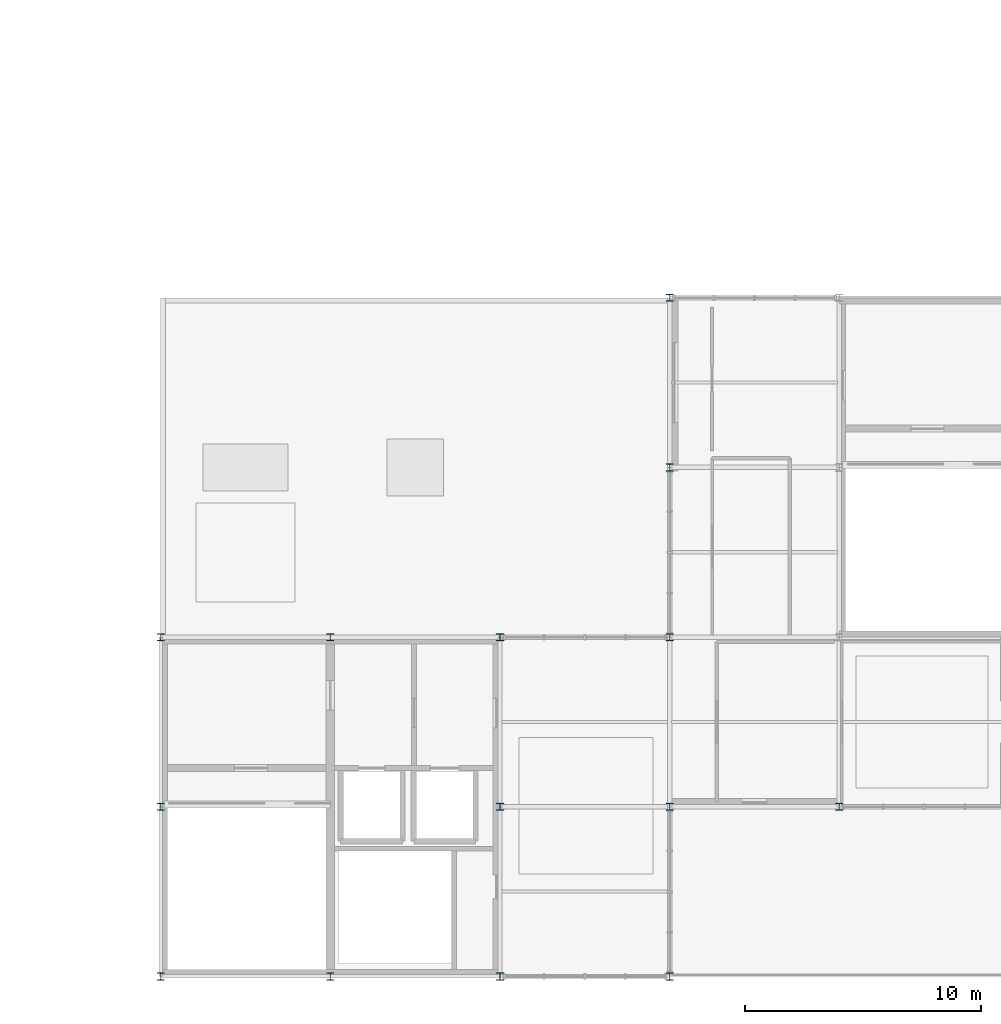
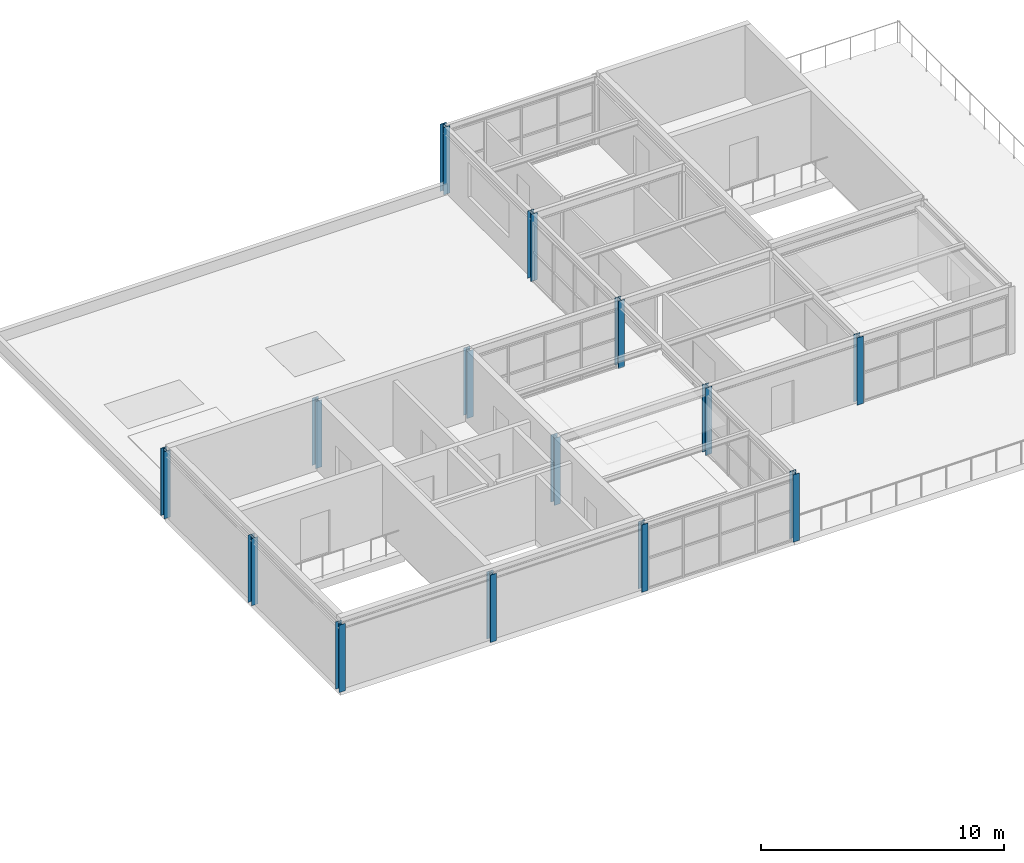
# One storey, part 5 of 22: 14 columns.
"""IFC4 building model written with IfcOpenShell, lengths in metres."""

from ifc_helpers import new_model, si_unit, direction, frame, origin, origin_2d, place, context, subcontext, project, spatial, i_section, extrude, material, material_profile, profile_set, type_object, element, save


model = new_model("IFC4")

# Units and contexts
model_context = context("Model", 3, precision=1e-05, world=origin(), true_north=direction((0.0, 1.0)))
body_context = subcontext(model_context, "Body", "Model", "MODEL_VIEW")
ifc_project = project(units=[si_unit("LENGTHUNIT", "METRE"), si_unit("AREAUNIT", "SQUARE_METRE"), si_unit("VOLUMEUNIT", "CUBIC_METRE"), si_unit("PLANEANGLEUNIT", "RADIAN"), si_unit("MASSUNIT", "GRAM", prefix="KILO")], contexts=[model_context])

# Site, building, storey
site_placement = place(None, origin())
site = spatial("IfcSite", under=ifc_project, at=site_placement, CompositionType="ELEMENT")
building_placement = place(site_placement, origin())
building = spatial("IfcBuilding", under=site, at=building_placement, Name="Leyfeld Transit Interchange", CompositionType="ELEMENT")
storey_placement = place(building_placement, frame((0.0, 0.0, 18.0)))
storey = spatial("IfcBuildingStorey", under=building, at=storey_placement, Name="L04", CompositionType="ELEMENT", Elevation=18.0)

# Columns
ifc_material = material(Name="Steel S355J2", Category="steel")
ifc_material_profile = material_profile(ifc_material, i_section(OverallWidth=0.300048828125, OverallDepth=0.300048828125, WebThickness=0.010986328125, FlangeThickness=0.01904296875, FilletRadius=0.027099609375, at=origin_2d()), Name="HEB 300")
ifc_profile_set = profile_set([ifc_material_profile], Name="Steel S355J2")
column_type = type_object("IfcColumnType", Name="COL-STL-HEB300", PredefinedType="COLUMN", material=ifc_profile_set)
for number, where, z_axis, x_axis, name in (
    (1, (136.800048828125, 57.60009765625, 0.0), (0.0, 0.0, 1.0), (1.0, 0.0, 0.0), "Column COL-L04-1368_0576"),
    (2, (136.800048828125, 64.800048828125, 0.0), (0.0, 0.0, 1.0), (1.0, 0.0, 0.0), "Column COL-L04-1368_0648"),
    (3, (136.800048828125, 72.0, 0.0), (0.0, 0.0, 1.0), (1.0, 0.0, 0.0), "Column COL-L04-1368_0720"),
    (4, (144.0, 57.60009765625, 0.0), (0.0, 0.0, 1.0), (1.0, 0.0, 0.0), "Column COL-L04-1440_0576"),
    (5, (144.0, 72.0, 0.0), (0.0, 0.0, 1.0), (1.0, 0.0, 0.0), "Column COL-L04-1440_0720"),
    (6, (151.199951171875, 57.60009765625, 0.0), (0.0, 0.0, 1.0), (1.0, 0.0, 0.0), "Column COL-L04-1512_0576"),
    (7, (151.199951171875, 64.800048828125, 0.0), (0.0, 0.0, 1.0), (1.0, 0.0, 0.0), "Column COL-L04-1512_0648"),
    (8, (151.199951171875, 72.0, 0.0), (0.0, 0.0, 1.0), (1.0, 0.0, 0.0), "Column COL-L04-1512_0720"),
    (9, (158.39990234375, 57.60009765625, 0.0), (0.0, 0.0, 1.0), (1.0, 0.0, 0.0), "Column COL-L04-1584_0576"),
    (10, (158.39990234375, 64.800048828125, 0.0), (0.0, 0.0, 1.0), (1.0, 0.0, 0.0), "Column COL-L04-1584_0648"),
    (11, (158.39990234375, 72.0, 0.0), (0.0, 0.0, 1.0), (1.0, 0.0, 0.0), "Column COL-L04-1584_0720"),
    (12, (158.39990234375, 79.199951171875, 0.0), (0.0, 0.0, 1.0), (1.0, 0.0, 0.0), "Column COL-L04-1584_0792"),
    (13, (158.39990234375, 86.39990234375, 0.0), (0.0, 0.0, 1.0), (1.0, 0.0, 0.0), "Column COL-L04-1584_0864"),
    (14, (165.60009765625, 64.800048828125, 0.0), (0.0, 0.0, 1.0), (1.0, 0.0, 0.0), "Column COL-L04-1656_0648"),
):
    element("IfcColumn", number, at=place(storey_placement, frame(where, z_axis=z_axis, x_axis=x_axis)), inside=storey, type_object=column_type, Name=name, PredefinedType="COLUMN", context=body_context, shape_type="SweptSolid", body=[
        extrude(i_section(OverallWidth=0.300048828125, OverallDepth=0.300048828125, WebThickness=0.010986328125, FlangeThickness=0.01904296875, FilletRadius=0.027099609375, at=origin_2d()), origin(), (0.0, 0.0, 1.0), 3.3798828125),
    ])

save(model, "model.ifc")
